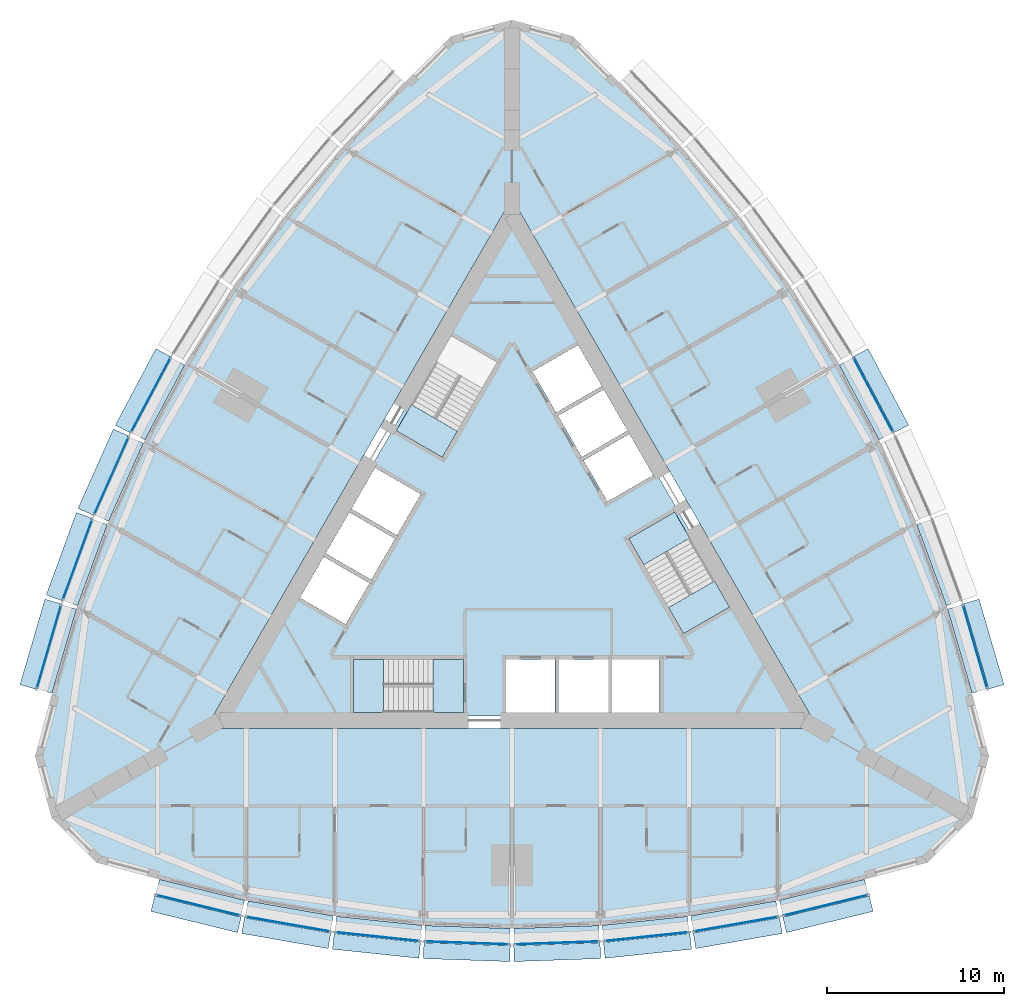
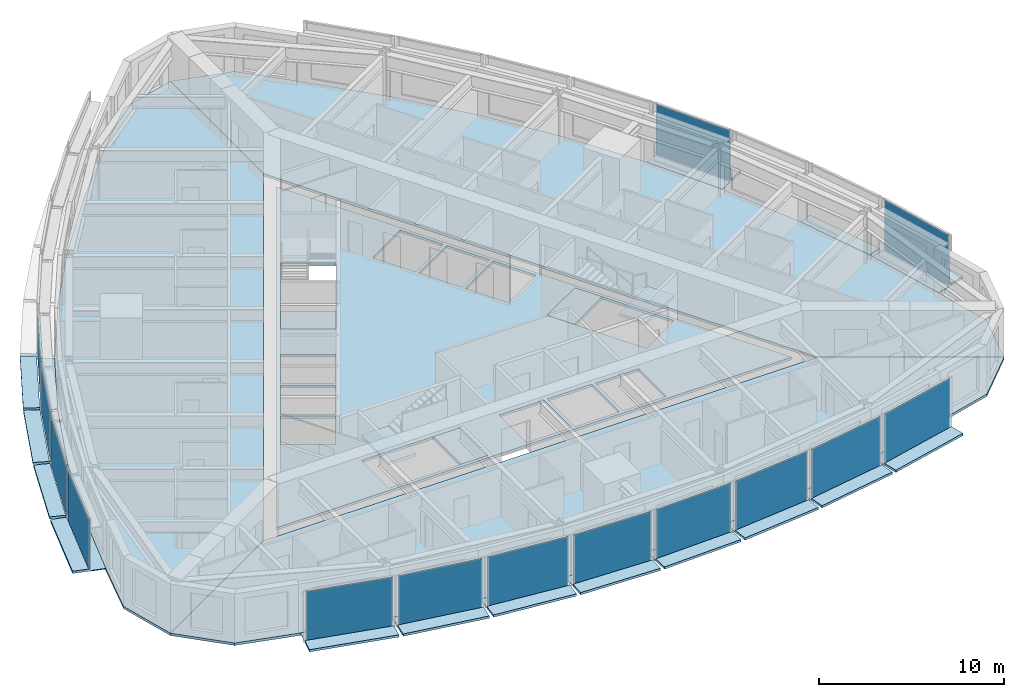
# One storey, part 6 of 14: 43 plates, 9 slabs, 17 elements without a shape of their own.
"""IFC4 building model written with IfcOpenShell, lengths in metres."""

from ifc_helpers import new_model, si_unit, direction, frame, origin, origin_2d, place, context, subcontext, project, spatial, polyline, rectangle, outline, extrude, material, layer, layer_set, type_object, element, aggregate, save


model = new_model("IFC4")

# Units and contexts
model_context = context("Model", 3, precision=1e-05, world=origin(), true_north=direction((0.0, 1.0)))
body_context = subcontext(model_context, "Body", "Model", "MODEL_VIEW")
ifc_project = project(units=[si_unit("LENGTHUNIT", "METRE"), si_unit("AREAUNIT", "SQUARE_METRE"), si_unit("VOLUMEUNIT", "CUBIC_METRE"), si_unit("PLANEANGLEUNIT", "RADIAN"), si_unit("MASSUNIT", "GRAM", prefix="KILO")], contexts=[model_context])

# Site, building, storey
site_placement = place(None, origin())
site = spatial("IfcSite", under=ifc_project, at=site_placement, CompositionType="ELEMENT")
building_placement = place(site_placement, origin())
building = spatial("IfcBuilding", under=site, at=building_placement, Name="Trikona Tower", CompositionType="ELEMENT")
storey_placement = place(building_placement, frame((0.0, 0.0, 135.10009765625)))
storey = spatial("IfcBuildingStorey", under=building, at=storey_placement, Name="L35", CompositionType="ELEMENT", Elevation=135.10009765625)

# Plates
ifc_material_1 = material(Name="Aluminium bar grating", Category="aluminium")
ifc_layer_1 = layer(ifc_material_1, 0.050048828125)
ifc_layer_set_1 = layer_set([ifc_layer_1], Name="Cavity catwalk grating")
plate_type_1 = type_object("IfcPlateType", Name="Cavity catwalk grating", PredefinedType="USERDEFINED", material=ifc_layer_set_1)
plate_1_placement = place(storey_placement, frame((-17.598876953125, -19.49072265625, -0.05029296875), z_axis=(0.0, 0.0, 1.0), x_axis=(0.971274411564, -0.237962218516, 0.0)))
element("IfcPlate", 1, at=plate_1_placement, inside=storey, type_object=plate_type_1, Name="Cavity catwalk L35-00", ObjectType="CATWALK GRATING", PredefinedType="USERDEFINED", context=body_context, shape_type="SweptSolid", body=[
    extrude(rectangle(XDim=4.947998046875, YDim=0.830078125, at=origin_2d()), origin(), (0.0, 0.0, 1.0), 0.050048828125),
])
plate_2_placement = place(storey_placement, frame((-12.571533203125, -20.54638671875, -0.05029296875), z_axis=(0.0, 0.0, 1.0), x_axis=(0.985030604067, -0.172379549401, 0.0)))
element("IfcPlate", 2, at=plate_2_placement, inside=storey, type_object=plate_type_1, Name="Cavity catwalk L35-01", ObjectType="CATWALK GRATING", PredefinedType="USERDEFINED", context=body_context, shape_type="SweptSolid", body=[
    extrude(rectangle(XDim=4.8759765625, YDim=0.830078125, at=origin_2d()), origin(), (0.0, 0.0, 1.0), 0.050048828125),
])
plate_3_placement = place(storey_placement, frame((-7.543212890625, -21.25048828125, -0.05029296875), z_axis=(0.0, 0.0, 1.0), x_axis=(0.994532653854, -0.104426052392, 0.0)))
element("IfcPlate", 3, at=plate_3_placement, inside=storey, type_object=plate_type_1, Name="Cavity catwalk L35-02", ObjectType="CATWALK GRATING", PredefinedType="USERDEFINED", context=body_context, shape_type="SweptSolid", body=[
    extrude(rectangle(XDim=4.827392578125, YDim=0.830078125, at=origin_2d()), origin(), (0.0, 0.0, 1.0), 0.050048828125),
])
for number, where, z_axis, x_axis, name in (
    (4, (-2.514404296875, -21.602294921875, -0.05029296875), (0.0, 0.0, 1.0), (0.999388082937, -0.034977988567, 0.0), "Cavity catwalk L35-03"),
    (5, (2.514404296875, -21.602294921875, -0.05029296875), (0.0, 0.0, 1.0), (0.999388082937, 0.034977988567, 0.0), "Cavity catwalk L35-04"),
):
    element("IfcPlate", number, at=place(storey_placement, frame(where, z_axis=z_axis, x_axis=x_axis)), inside=storey, type_object=plate_type_1, Name=name, ObjectType="CATWALK GRATING", PredefinedType="USERDEFINED", context=body_context, shape_type="SweptSolid", body=[
        extrude(rectangle(XDim=4.802978515625, YDim=0.830078125, at=origin_2d()), origin(), (0.0, 0.0, 1.0), 0.050048828125),
    ])
plate_4_placement = place(storey_placement, frame((7.543212890625, -21.25048828125, -0.05029296875), z_axis=(0.0, 0.0, 1.0), x_axis=(0.994532653854, 0.104426052392, 0.0)))
element("IfcPlate", 6, at=plate_4_placement, inside=storey, type_object=plate_type_1, Name="Cavity catwalk L35-05", ObjectType="CATWALK GRATING", PredefinedType="USERDEFINED", context=body_context, shape_type="SweptSolid", body=[
    extrude(rectangle(XDim=4.827392578125, YDim=0.830078125, at=origin_2d()), origin(), (0.0, 0.0, 1.0), 0.050048828125),
])
plate_5_placement = place(storey_placement, frame((12.571533203125, -20.54638671875, -0.05029296875), z_axis=(0.0, 0.0, 1.0), x_axis=(0.985030604067, 0.172379549401, 0.0)))
element("IfcPlate", 7, at=plate_5_placement, inside=storey, type_object=plate_type_1, Name="Cavity catwalk L35-06", ObjectType="CATWALK GRATING", PredefinedType="USERDEFINED", context=body_context, shape_type="SweptSolid", body=[
    extrude(rectangle(XDim=4.8759765625, YDim=0.830078125, at=origin_2d()), origin(), (0.0, 0.0, 1.0), 0.050048828125),
])
plate_6_placement = place(storey_placement, frame((17.598876953125, -19.49072265625, -0.05029296875), z_axis=(0.0, 0.0, 1.0), x_axis=(0.971274411564, 0.237962218516, 0.0)))
element("IfcPlate", 8, at=plate_6_placement, inside=storey, type_object=plate_type_1, Name="Cavity catwalk L35-07", ObjectType="CATWALK GRATING", PredefinedType="USERDEFINED", context=body_context, shape_type="SweptSolid", body=[
    extrude(rectangle(XDim=4.947998046875, YDim=0.830078125, at=origin_2d()), origin(), (0.0, 0.0, 1.0), 0.050048828125),
])
plate_7_placement = place(storey_placement, frame((25.678955078125, -5.49560546875, -0.05029296875), z_axis=(0.0, 0.0, 1.0), x_axis=(-0.279554203664, 0.960129911634, 0.0)))
element("IfcPlate", 9, at=plate_7_placement, inside=storey, type_object=plate_type_1, Name="Cavity catwalk L35-12", ObjectType="CATWALK GRATING", PredefinedType="USERDEFINED", context=body_context, shape_type="SweptSolid", body=[
    extrude(rectangle(XDim=4.94775390625, YDim=0.830078125, at=origin_2d()), origin(), (0.0, 0.0, 1.0), 0.050048828125),
])
plate_8_placement = place(storey_placement, frame((24.07958984375, -0.614013671875, -0.05029296875), z_axis=(0.0, 0.0, 1.0), x_axis=(-0.343220397324, 0.939254895575, 0.0)))
element("IfcPlate", 10, at=plate_8_placement, inside=storey, type_object=plate_type_1, Name="Cavity catwalk L35-13", ObjectType="CATWALK GRATING", PredefinedType="USERDEFINED", context=body_context, shape_type="SweptSolid", body=[
    extrude(rectangle(XDim=4.8759765625, YDim=0.830078125, at=origin_2d()), origin(), (0.0, 0.0, 1.0), 0.050048828125),
])
for number, where, z_axis, x_axis, name in (
    (11, (19.965576171875, 8.62353515625, -0.05029296875), (0.0, 0.0, 1.0), (-0.469397591494, 0.882986920118, 0.0), "Cavity catwalk L35-15"),
    (12, (-19.965576171875, 8.62353515625, -0.05029296875), (0.0, 0.0, 1.0), (-0.469397591494, -0.882986920118, 0.0), "Cavity catwalk L35-28"),
):
    element("IfcPlate", number, at=place(storey_placement, frame(where, z_axis=z_axis, x_axis=x_axis)), inside=storey, type_object=plate_type_1, Name=name, ObjectType="CATWALK GRATING", PredefinedType="USERDEFINED", context=body_context, shape_type="SweptSolid", body=[
        extrude(rectangle(XDim=4.802978515625, YDim=0.830078125, at=origin_2d()), origin(), (0.0, 0.0, 1.0), 0.050048828125),
    ])
plate_9_placement = place(storey_placement, frame((-22.175048828125, 4.092529296875, -0.05029296875), z_axis=(0.0, 0.0, 1.0), x_axis=(-0.406843467615, -0.913497888809, 0.0)))
element("IfcPlate", 13, at=plate_9_placement, inside=storey, type_object=plate_type_1, Name="Cavity catwalk L35-29", ObjectType="CATWALK GRATING", PredefinedType="USERDEFINED", context=body_context, shape_type="SweptSolid", body=[
    extrude(rectangle(XDim=4.827392578125, YDim=0.830078125, at=origin_2d()), origin(), (0.0, 0.0, 1.0), 0.050048828125),
])
plate_10_placement = place(storey_placement, frame((-24.07958984375, -0.614013671875, -0.05029296875), z_axis=(0.0, 0.0, 1.0), x_axis=(-0.343220397324, -0.939254895575, 0.0)))
element("IfcPlate", 14, at=plate_10_placement, inside=storey, type_object=plate_type_1, Name="Cavity catwalk L35-30", ObjectType="CATWALK GRATING", PredefinedType="USERDEFINED", context=body_context, shape_type="SweptSolid", body=[
    extrude(rectangle(XDim=4.8759765625, YDim=0.830078125, at=origin_2d()), origin(), (0.0, 0.0, 1.0), 0.050048828125),
])
plate_11_placement = place(storey_placement, frame((-25.678955078125, -5.49560546875, -0.05029296875), z_axis=(0.0, 0.0, 1.0), x_axis=(-0.279554203664, -0.960129911634, 0.0)))
element("IfcPlate", 15, at=plate_11_placement, inside=storey, type_object=plate_type_1, Name="Cavity catwalk L35-31", ObjectType="CATWALK GRATING", PredefinedType="USERDEFINED", context=body_context, shape_type="SweptSolid", body=[
    extrude(rectangle(XDim=4.94775390625, YDim=0.830078125, at=origin_2d()), origin(), (0.0, 0.0, 1.0), 0.050048828125),
])

# Slabs
ifc_material_2 = material(Name="Concrete f'c 5000 psi lightweight on composite steel deck", Category="concrete")
ifc_layer_2 = layer(ifc_material_2, 0.1650390625)
ifc_layer_set_2 = layer_set([ifc_layer_2], Name="Composite floor slab 165")
slab_type_1 = type_object("IfcSlabType", Name="Composite floor slab 165", PredefinedType="FLOOR", material=ifc_layer_set_2)
slab_1_placement = place(storey_placement, frame((0.0, 0.0, -0.1650390625)))
element("IfcSlab", 16, at=slab_1_placement, inside=storey, type_object=slab_type_1, Name="Floor slab L35 core", PredefinedType="FLOOR", context=body_context, shape_type="SweptSolid", body=[
    extrude(outline(polyline([(-16.06689453125, -9.2763671875), (16.06689453125, -9.2763671875), (0.0, 18.552490234375), (-16.06689453125, -9.2763671875)]), holes=[polyline([(12.285400390625, -3.126220703125), (9.185302734375, 2.2431640625), (6.587158203125, 0.7431640625), (9.687255859375, -4.626220703125), (12.285400390625, -3.126220703125)]), polyline([(8.340087890625, -9.06640625), (8.340087890625, -6.086181640625), (5.659912109375, -6.086181640625), (5.659912109375, -9.06640625), (8.340087890625, -9.06640625)]), polyline([(5.390869140625, 2.835205078125), (7.9716796875, 4.3251953125), (6.631591796875, 6.646240234375), (4.05078125, 5.15625), (5.390869140625, 2.835205078125)]), polyline([(2.600830078125, 7.667724609375), (3.94091796875, 5.3466796875), (6.521484375, 6.8369140625), (5.181640625, 9.15771484375), (2.600830078125, 7.667724609375)]), polyline([(5.43994140625, -6.086181640625), (2.659912109375, -6.086181640625), (2.659912109375, -9.06640625), (5.43994140625, -9.06640625), (5.43994140625, -6.086181640625)]), polyline([(3.731689453125, 11.669189453125), (1.15087890625, 10.17919921875), (2.490966796875, 7.858154296875), (5.071533203125, 9.34814453125), (3.731689453125, 11.669189453125)]), polyline([(-0.340087890625, -6.086181640625), (-0.340087890625, -9.06640625), (2.43994140625, -9.06640625), (2.43994140625, -6.086181640625), (-0.340087890625, -6.086181640625)]), polyline([(-3.435302734375, 12.202392578125), (-6.535400390625, 6.8330078125), (-3.937255859375, 5.3330078125), (-0.837158203125, 10.702392578125), (-3.435302734375, 12.202392578125)]), polyline([(-8.949951171875, -9.076416015625), (-2.75, -9.076416015625), (-2.75, -6.076416015625), (-8.949951171875, -6.076416015625), (-8.949951171875, -9.076416015625)]), polyline([(-5.15087890625, 3.2509765625), (-7.731689453125, 4.740966796875), (-9.071533203125, 2.419921875), (-6.490966796875, 0.929931640625), (-5.15087890625, 3.2509765625)]), polyline([(-7.94091796875, -1.581298828125), (-6.600830078125, 0.739501953125), (-9.181640625, 2.2294921875), (-10.521484375, -0.09130859375), (-7.94091796875, -1.581298828125)]), polyline([(-11.9716796875, -2.602783203125), (-9.390869140625, -4.093017578125), (-8.05078125, -1.77197265625), (-10.631591796875, -0.281982421875), (-11.9716796875, -2.602783203125)])]), origin(), (0.0, 0.0, 1.0), 0.1650390625),
])
slab_2_placement = place(storey_placement, frame((0.0, 0.0, -0.1650390625)))
element("IfcSlab", 17, at=slab_2_placement, inside=storey, type_object=slab_type_1, Name="Floor slab L35 south", PredefinedType="FLOOR", context=body_context, shape_type="SweptSolid", body=[
    extrude(outline(polyline([(23.464111328125, -17.547119140625), (26.0, -15.010986328125), (17.279296875, -9.976318359375), (-17.279296875, -9.976318359375), (-26.0, -15.010986328125), (-23.464111328125, -17.547119140625), (-20.0, -18.47509765625), (-15.0, -19.7001953125), (-10.0, -20.5751953125), (-5.0, -21.10009765625), (0.0, -21.275146484375), (5.0, -21.10009765625), (10.0, -20.5751953125), (15.0, -19.7001953125), (20.0, -18.47509765625), (23.464111328125, -17.547119140625)])), origin(), (0.0, 0.0, 1.0), 0.1650390625),
])
slab_3_placement = place(storey_placement, frame((0.0, 0.0, -0.1650390625)))
element("IfcSlab", 18, at=slab_3_placement, inside=storey, type_object=slab_type_1, Name="Floor slab L35 north-east", PredefinedType="FLOOR", context=body_context, shape_type="SweptSolid", body=[
    extrude(outline(polyline([(3.464111328125, 29.093994140625), (0.0, 30.022216796875), (0.0, 19.95263671875), (17.279296875, -9.976318359375), (26.0, -15.010986328125), (26.92822265625, -11.547119140625), (26.0, -8.0830078125), (24.560791015625, -3.140380859375), (22.818603515625, 1.62744140625), (20.773193359375, 6.219970703125), (18.4248046875, 10.6376953125), (15.773193359375, 14.880126953125), (12.818603515625, 18.947998046875), (9.560791015625, 22.840576171875), (6.0, 26.55810546875), (3.464111328125, 29.093994140625)])), origin(), (0.0, 0.0, 1.0), 0.1650390625),
])
slab_4_placement = place(storey_placement, frame((0.0, 0.0, -0.1650390625)))
element("IfcSlab", 19, at=slab_4_placement, inside=storey, type_object=slab_type_1, Name="Floor slab L35 north-west", PredefinedType="FLOOR", context=body_context, shape_type="SweptSolid", body=[
    extrude(outline(polyline([(0.0, 19.95263671875), (0.0, 30.022216796875), (-3.464111328125, 29.093994140625), (-6.0, 26.55810546875), (-9.560791015625, 22.840576171875), (-12.818603515625, 18.947998046875), (-15.773193359375, 14.880126953125), (-18.4248046875, 10.6376953125), (-20.773193359375, 6.219970703125), (-22.818603515625, 1.62744140625), (-24.560791015625, -3.140380859375), (-26.0, -8.0830078125), (-26.92822265625, -11.547119140625), (-26.0, -15.010986328125), (-17.279296875, -9.976318359375), (0.0, 19.95263671875)])), origin(), (0.0, 0.0, 1.0), 0.1650390625),
])

# Curtain wall, plate
ifc_material_3 = material(Name="Aluminium curtain wall system", Category="aluminium")
curtain_wall_type = type_object("IfcCurtainWallType", Name="Curtain wall DS2", PredefinedType="NOTDEFINED", material=ifc_material_3)
curtain_wall_1_placement = place(storey_placement, origin())
curtain_wall_1 = element("IfcCurtainWall", 20, at=curtain_wall_1_placement, inside=storey, type_object=curtain_wall_type, Name="Curtain wall DS2 L35", PredefinedType="NOTDEFINED")
ifc_material_4 = material(Name="Laminated clear glass", Category="glass")
ifc_layer_3 = layer(ifc_material_4, 0.028076171875)
ifc_layer_set_3 = layer_set([ifc_layer_3], Name="Glass panel DS2")
plate_type_2 = type_object("IfcPlateType", Name="Glass panel DS2", PredefinedType="CURTAIN_PANEL", material=ifc_layer_set_3)
plate_12_placement = place(storey_placement, frame((-17.714111328125, -19.9619140625, 0.0), z_axis=(0.0, 0.0, 1.0), x_axis=(0.971272455026, -0.237970204243, 0.0)))
plate_12 = element("IfcPlate", 21, at=plate_12_placement, type_object=plate_type_2, Name="CW-DS2 panel 1.1", PredefinedType="CURTAIN_PANEL", context=body_context, shape_type="SweptSolid", body=[
    extrude(rectangle(XDim=4.867919921875, YDim=0.028076171875, at=origin_2d()), origin(), (0.0, 0.0, 1.0), 3.320068359375),
])
aggregate(curtain_wall_1, [plate_12])

curtain_wall_2_placement = place(storey_placement, origin())
curtain_wall_2 = element("IfcCurtainWall", 22, at=curtain_wall_2_placement, inside=storey, type_object=curtain_wall_type, Name="Curtain wall DS2 L35", PredefinedType="NOTDEFINED")
plate_13_placement = place(storey_placement, frame((-12.655029296875, -21.024169921875, 0.0), z_axis=(0.0, 0.0, 1.0), x_axis=(0.985030981074, -0.17237739505, 0.0)))
plate_13 = element("IfcPlate", 23, at=plate_13_placement, type_object=plate_type_2, Name="CW-DS2 panel 1.1", PredefinedType="CURTAIN_PANEL", context=body_context, shape_type="SweptSolid", body=[
    extrude(rectangle(XDim=4.7958984375, YDim=0.028076171875, at=origin_2d()), origin(), (0.0, 0.0, 1.0), 3.320068359375),
])
aggregate(curtain_wall_2, [plate_13])

curtain_wall_3_placement = place(storey_placement, origin())
curtain_wall_3 = element("IfcCurtainWall", 24, at=curtain_wall_3_placement, inside=storey, type_object=curtain_wall_type, Name="Curtain wall DS2 L35", PredefinedType="NOTDEFINED")
plate_14_placement = place(storey_placement, frame((-7.593994140625, -21.732666015625, 0.0), z_axis=(0.0, 0.0, 1.0), x_axis=(0.994531883654, -0.104433387357, 0.0)))
plate_14 = element("IfcPlate", 25, at=plate_14_placement, type_object=plate_type_2, Name="CW-DS2 panel 1.1", PredefinedType="CURTAIN_PANEL", context=body_context, shape_type="SweptSolid", body=[
    extrude(rectangle(XDim=4.747314453125, YDim=0.028076171875, at=origin_2d()), origin(), (0.0, 0.0, 1.0), 3.320068359375),
])
aggregate(curtain_wall_3, [plate_14])

curtain_wall_4_placement = place(storey_placement, origin())
curtain_wall_4 = element("IfcCurtainWall", 26, at=curtain_wall_4_placement, inside=storey, type_object=curtain_wall_type, Name="Curtain wall DS2 L35", PredefinedType="NOTDEFINED")
plate_15_placement = place(storey_placement, frame((-2.531494140625, -22.087158203125, 0.0), z_axis=(0.0, 0.0, 1.0), x_axis=(0.99938737114, -0.034998320052, 0.0)))
plate_15 = element("IfcPlate", 27, at=plate_15_placement, type_object=plate_type_2, Name="CW-DS2 panel 1.1", PredefinedType="CURTAIN_PANEL", context=body_context, shape_type="SweptSolid", body=[
    extrude(rectangle(XDim=4.72314453125, YDim=0.028076171875, at=origin_2d()), origin(), (0.0, 0.0, 1.0), 3.320068359375),
])
aggregate(curtain_wall_4, [plate_15])

curtain_wall_5_placement = place(storey_placement, origin())
curtain_wall_5 = element("IfcCurtainWall", 28, at=curtain_wall_5_placement, inside=storey, type_object=curtain_wall_type, Name="Curtain wall DS2 L35", PredefinedType="NOTDEFINED")
plate_16_placement = place(storey_placement, frame((2.531494140625, -22.087158203125, 0.0), z_axis=(0.0, 0.0, 1.0), x_axis=(0.99938737114, 0.034998320052, 0.0)))
plate_16 = element("IfcPlate", 29, at=plate_16_placement, type_object=plate_type_2, Name="CW-DS2 panel 1.1", PredefinedType="CURTAIN_PANEL", context=body_context, shape_type="SweptSolid", body=[
    extrude(rectangle(XDim=4.72314453125, YDim=0.028076171875, at=origin_2d()), origin(), (0.0, 0.0, 1.0), 3.320068359375),
])
aggregate(curtain_wall_5, [plate_16])

curtain_wall_6_placement = place(storey_placement, origin())
curtain_wall_6 = element("IfcCurtainWall", 30, at=curtain_wall_6_placement, inside=storey, type_object=curtain_wall_type, Name="Curtain wall DS2 L35", PredefinedType="NOTDEFINED")
plate_17_placement = place(storey_placement, frame((7.593994140625, -21.732666015625, 0.0), z_axis=(0.0, 0.0, 1.0), x_axis=(0.994531883654, 0.104433387357, 0.0)))
plate_17 = element("IfcPlate", 31, at=plate_17_placement, type_object=plate_type_2, Name="CW-DS2 panel 1.1", PredefinedType="CURTAIN_PANEL", context=body_context, shape_type="SweptSolid", body=[
    extrude(rectangle(XDim=4.747314453125, YDim=0.028076171875, at=origin_2d()), origin(), (0.0, 0.0, 1.0), 3.320068359375),
])
aggregate(curtain_wall_6, [plate_17])

curtain_wall_7_placement = place(storey_placement, origin())
curtain_wall_7 = element("IfcCurtainWall", 32, at=curtain_wall_7_placement, inside=storey, type_object=curtain_wall_type, Name="Curtain wall DS2 L35", PredefinedType="NOTDEFINED")
plate_18_placement = place(storey_placement, frame((12.655029296875, -21.024169921875, 0.0), z_axis=(0.0, 0.0, 1.0), x_axis=(0.985030981074, 0.17237739505, 0.0)))
plate_18 = element("IfcPlate", 33, at=plate_18_placement, type_object=plate_type_2, Name="CW-DS2 panel 1.1", PredefinedType="CURTAIN_PANEL", context=body_context, shape_type="SweptSolid", body=[
    extrude(rectangle(XDim=4.7958984375, YDim=0.028076171875, at=origin_2d()), origin(), (0.0, 0.0, 1.0), 3.320068359375),
])
aggregate(curtain_wall_7, [plate_18])

curtain_wall_8_placement = place(storey_placement, origin())
curtain_wall_8 = element("IfcCurtainWall", 34, at=curtain_wall_8_placement, inside=storey, type_object=curtain_wall_type, Name="Curtain wall DS2 L35", PredefinedType="NOTDEFINED")
plate_19_placement = place(storey_placement, frame((17.714111328125, -19.9619140625, 0.0), z_axis=(0.0, 0.0, 1.0), x_axis=(0.971272455026, 0.237970204243, 0.0)))
plate_19 = element("IfcPlate", 35, at=plate_19_placement, type_object=plate_type_2, Name="CW-DS2 panel 1.1", PredefinedType="CURTAIN_PANEL", context=body_context, shape_type="SweptSolid", body=[
    extrude(rectangle(XDim=4.867919921875, YDim=0.028076171875, at=origin_2d()), origin(), (0.0, 0.0, 1.0), 3.320068359375),
])
aggregate(curtain_wall_8, [plate_19])

curtain_wall_9_placement = place(storey_placement, origin())
curtain_wall_9 = element("IfcCurtainWall", 36, at=curtain_wall_9_placement, inside=storey, type_object=curtain_wall_type, Name="Curtain wall DS2 L35", PredefinedType="NOTDEFINED")
plate_20_placement = place(storey_placement, frame((26.14453125, -5.360107421875, 0.0), z_axis=(0.0, 0.0, 1.0), x_axis=(-0.279543247757, 0.96013310152, 0.0)))
plate_20 = element("IfcPlate", 37, at=plate_20_placement, type_object=plate_type_2, Name="CW-DS2 panel 1.1", PredefinedType="CURTAIN_PANEL", context=body_context, shape_type="SweptSolid", body=[
    extrude(rectangle(XDim=4.867919921875, YDim=0.028076171875, at=origin_2d()), origin(), (0.0, 0.0, 1.0), 3.320068359375),
])
aggregate(curtain_wall_9, [plate_20])

curtain_wall_10_placement = place(storey_placement, origin())
curtain_wall_10 = element("IfcCurtainWall", 38, at=curtain_wall_10_placement, inside=storey, type_object=curtain_wall_type, Name="Curtain wall DS2 L35", PredefinedType="NOTDEFINED")
plate_21_placement = place(storey_placement, frame((20.393798828125, 8.851318359375, 0.0), z_axis=(0.0, 0.0, 1.0), x_axis=(-0.469380308937, 0.882996107343, 0.0)))
plate_21 = element("IfcPlate", 39, at=plate_21_placement, type_object=plate_type_2, Name="CW-DS2 panel 1.1", PredefinedType="CURTAIN_PANEL", context=body_context, shape_type="SweptSolid", body=[
    extrude(rectangle(XDim=4.72314453125, YDim=0.028076171875, at=origin_2d()), origin(), (0.0, 0.0, 1.0), 3.320068359375),
])
aggregate(curtain_wall_10, [plate_21])

curtain_wall_11_placement = place(storey_placement, origin())
curtain_wall_11 = element("IfcCurtainWall", 40, at=curtain_wall_11_placement, inside=storey, type_object=curtain_wall_type, Name="Curtain wall DS2 L35", PredefinedType="NOTDEFINED")
plate_22_placement = place(storey_placement, frame((-20.393798828125, 8.851318359375, 0.0), z_axis=(0.0, 0.0, 1.0), x_axis=(-0.469380308937, -0.882996107343, 0.0)))
plate_22 = element("IfcPlate", 41, at=plate_22_placement, type_object=plate_type_2, Name="CW-DS2 panel 1.1", PredefinedType="CURTAIN_PANEL", context=body_context, shape_type="SweptSolid", body=[
    extrude(rectangle(XDim=4.72314453125, YDim=0.028076171875, at=origin_2d()), origin(), (0.0, 0.0, 1.0), 3.320068359375),
])
aggregate(curtain_wall_11, [plate_22])

curtain_wall_12_placement = place(storey_placement, origin())
curtain_wall_12 = element("IfcCurtainWall", 42, at=curtain_wall_12_placement, inside=storey, type_object=curtain_wall_type, Name="Curtain wall DS2 L35", PredefinedType="NOTDEFINED")
plate_23_placement = place(storey_placement, frame((-22.6181640625, 4.289794921875, 0.0), z_axis=(0.0, 0.0, 1.0), x_axis=(-0.406836013132, -0.913501208767, 0.0)))
plate_23 = element("IfcPlate", 43, at=plate_23_placement, type_object=plate_type_2, Name="CW-DS2 panel 1.1", PredefinedType="CURTAIN_PANEL", context=body_context, shape_type="SweptSolid", body=[
    extrude(rectangle(XDim=4.747314453125, YDim=0.028076171875, at=origin_2d()), origin(), (0.0, 0.0, 1.0), 3.320068359375),
])
aggregate(curtain_wall_12, [plate_23])

curtain_wall_13_placement = place(storey_placement, origin())
curtain_wall_13 = element("IfcCurtainWall", 44, at=curtain_wall_13_placement, inside=storey, type_object=curtain_wall_type, Name="Curtain wall DS2 L35", PredefinedType="NOTDEFINED")
plate_24_placement = place(storey_placement, frame((-24.53515625, -0.447509765625, 0.0), z_axis=(0.0, 0.0, 1.0), x_axis=(-0.343223420143, -0.939253790978, 0.0)))
plate_24 = element("IfcPlate", 45, at=plate_24_placement, type_object=plate_type_2, Name="CW-DS2 panel 1.1", PredefinedType="CURTAIN_PANEL", context=body_context, shape_type="SweptSolid", body=[
    extrude(rectangle(XDim=4.7958984375, YDim=0.028076171875, at=origin_2d()), origin(), (0.0, 0.0, 1.0), 3.320068359375),
])
aggregate(curtain_wall_13, [plate_24])

curtain_wall_14_placement = place(storey_placement, origin())
curtain_wall_14 = element("IfcCurtainWall", 46, at=curtain_wall_14_placement, inside=storey, type_object=curtain_wall_type, Name="Curtain wall DS2 L35", PredefinedType="NOTDEFINED")
plate_25_placement = place(storey_placement, frame((-26.14453125, -5.360107421875, 0.0), z_axis=(0.0, 0.0, 1.0), x_axis=(-0.279543247757, -0.96013310152, 0.0)))
plate_25 = element("IfcPlate", 47, at=plate_25_placement, type_object=plate_type_2, Name="CW-DS2 panel 1.1", PredefinedType="CURTAIN_PANEL", context=body_context, shape_type="SweptSolid", body=[
    extrude(rectangle(XDim=4.867919921875, YDim=0.028076171875, at=origin_2d()), origin(), (0.0, 0.0, 1.0), 3.320068359375),
])
aggregate(curtain_wall_14, [plate_25])

# Plates
ifc_material_5 = material(Name="Aluminium plate fin, pale anodised, on stainless steel outriggers", Category="steel")
ifc_layer_4 = layer(ifc_material_5, 0.14990234375)
ifc_layer_set_4 = layer_set([ifc_layer_4], Name="Outer skin fin 900")
plate_type_3 = type_object("IfcPlateType", Name="Outer skin fin 900", PredefinedType="USERDEFINED", material=ifc_layer_set_4)
plate_26_placement = place(storey_placement, frame((-17.837890625, -20.466796875, 0.0), z_axis=(0.0, 0.0, 1.0), x_axis=(0.971274411564, -0.237962218516, 0.0)))
element("IfcPlate", 48, at=plate_26_placement, inside=storey, type_object=plate_type_3, Name="Outer skin fin L35-00", ObjectType="FIN", PredefinedType="USERDEFINED", context=body_context, shape_type="SweptSolid", body=[
    extrude(rectangle(XDim=5.02783203125, YDim=0.89990234375, at=origin_2d()), origin(), (0.0, 0.0, 1.0), 0.14990234375),
])
plate_27_placement = place(storey_placement, frame((-12.744873046875, -21.536376953125, 0.0), z_axis=(0.0, 0.0, 1.0), x_axis=(0.985030604067, -0.172379549401, 0.0)))
element("IfcPlate", 49, at=plate_27_placement, inside=storey, type_object=plate_type_3, Name="Outer skin fin L35-01", ObjectType="FIN", PredefinedType="USERDEFINED", context=body_context, shape_type="SweptSolid", body=[
    extrude(rectangle(XDim=4.9560546875, YDim=0.89990234375, at=origin_2d()), origin(), (0.0, 0.0, 1.0), 0.14990234375),
])
plate_28_placement = place(storey_placement, frame((-7.648193359375, -22.25, 0.0), z_axis=(0.0, 0.0, 1.0), x_axis=(0.994532653854, -0.104426052392, 0.0)))
element("IfcPlate", 50, at=plate_28_placement, inside=storey, type_object=plate_type_3, Name="Outer skin fin L35-02", ObjectType="FIN", PredefinedType="USERDEFINED", context=body_context, shape_type="SweptSolid", body=[
    extrude(rectangle(XDim=4.907470703125, YDim=0.89990234375, at=origin_2d()), origin(), (0.0, 0.0, 1.0), 0.14990234375),
])
for number, where, z_axis, x_axis, name in (
    (51, (-2.5498046875, -22.606689453125, 0.0), (0.0, 0.0, 1.0), (0.999388082937, -0.034977988567, 0.0), "Outer skin fin L35-03"),
    (52, (2.5498046875, -22.606689453125, 0.0), (0.0, 0.0, 1.0), (0.999388082937, 0.034977988567, 0.0), "Outer skin fin L35-04"),
):
    element("IfcPlate", number, at=place(storey_placement, frame(where, z_axis=z_axis, x_axis=x_axis)), inside=storey, type_object=plate_type_3, Name=name, ObjectType="FIN", PredefinedType="USERDEFINED", context=body_context, shape_type="SweptSolid", body=[
        extrude(rectangle(XDim=4.883056640625, YDim=0.89990234375, at=origin_2d()), origin(), (0.0, 0.0, 1.0), 0.14990234375),
    ])
plate_29_placement = place(storey_placement, frame((7.648193359375, -22.25, 0.0), z_axis=(0.0, 0.0, 1.0), x_axis=(0.994532653854, 0.104426052392, 0.0)))
element("IfcPlate", 53, at=plate_29_placement, inside=storey, type_object=plate_type_3, Name="Outer skin fin L35-05", ObjectType="FIN", PredefinedType="USERDEFINED", context=body_context, shape_type="SweptSolid", body=[
    extrude(rectangle(XDim=4.907470703125, YDim=0.89990234375, at=origin_2d()), origin(), (0.0, 0.0, 1.0), 0.14990234375),
])
plate_30_placement = place(storey_placement, frame((12.744873046875, -21.536376953125, 0.0), z_axis=(0.0, 0.0, 1.0), x_axis=(0.985030604067, 0.172379549401, 0.0)))
element("IfcPlate", 54, at=plate_30_placement, inside=storey, type_object=plate_type_3, Name="Outer skin fin L35-06", ObjectType="FIN", PredefinedType="USERDEFINED", context=body_context, shape_type="SweptSolid", body=[
    extrude(rectangle(XDim=4.9560546875, YDim=0.89990234375, at=origin_2d()), origin(), (0.0, 0.0, 1.0), 0.14990234375),
])
for number, where, z_axis, x_axis, name in (
    (55, (17.837890625, -20.466796875, 0.0), (0.0, 0.0, 1.0), (0.971274411564, 0.237962218516, 0.0), "Outer skin fin L35-07"),
    (56, (26.643798828125, -5.214599609375, 0.0), (0.0, 0.0, 1.0), (-0.279554203664, 0.960129911634, 0.0), "Outer skin fin L35-12"),
):
    element("IfcPlate", number, at=place(storey_placement, frame(where, z_axis=z_axis, x_axis=x_axis)), inside=storey, type_object=plate_type_3, Name=name, ObjectType="FIN", PredefinedType="USERDEFINED", context=body_context, shape_type="SweptSolid", body=[
        extrude(rectangle(XDim=5.02783203125, YDim=0.89990234375, at=origin_2d()), origin(), (0.0, 0.0, 1.0), 0.14990234375),
    ])
for number, where, z_axis, x_axis, name in (
    (57, (20.852783203125, 9.09521484375, 0.0), (0.0, 0.0, 1.0), (-0.469397591494, 0.882986920118, 0.0), "Outer skin fin L35-15"),
    (58, (-20.852783203125, 9.09521484375, 0.0), (0.0, 0.0, 1.0), (-0.469397591494, -0.882986920118, 0.0), "Outer skin fin L35-28"),
):
    element("IfcPlate", number, at=place(storey_placement, frame(where, z_axis=z_axis, x_axis=x_axis)), inside=storey, type_object=plate_type_3, Name=name, ObjectType="FIN", PredefinedType="USERDEFINED", context=body_context, shape_type="SweptSolid", body=[
        extrude(rectangle(XDim=4.883056640625, YDim=0.89990234375, at=origin_2d()), origin(), (0.0, 0.0, 1.0), 0.14990234375),
    ])
plate_31_placement = place(storey_placement, frame((-23.09326171875, 4.50146484375, 0.0), z_axis=(0.0, 0.0, 1.0), x_axis=(-0.406843467615, -0.913497888809, 0.0)))
element("IfcPlate", 59, at=plate_31_placement, inside=storey, type_object=plate_type_3, Name="Outer skin fin L35-29", ObjectType="FIN", PredefinedType="USERDEFINED", context=body_context, shape_type="SweptSolid", body=[
    extrude(rectangle(XDim=4.907470703125, YDim=0.89990234375, at=origin_2d()), origin(), (0.0, 0.0, 1.0), 0.14990234375),
])
plate_32_placement = place(storey_placement, frame((-25.0234375, -0.26904296875, 0.0), z_axis=(0.0, 0.0, 1.0), x_axis=(-0.343220397324, -0.939254895575, 0.0)))
element("IfcPlate", 60, at=plate_32_placement, inside=storey, type_object=plate_type_3, Name="Outer skin fin L35-30", ObjectType="FIN", PredefinedType="USERDEFINED", context=body_context, shape_type="SweptSolid", body=[
    extrude(rectangle(XDim=4.9560546875, YDim=0.89990234375, at=origin_2d()), origin(), (0.0, 0.0, 1.0), 0.14990234375),
])
plate_33_placement = place(storey_placement, frame((-26.643798828125, -5.214599609375, 0.0), z_axis=(0.0, 0.0, 1.0), x_axis=(-0.279554203664, -0.960129911634, 0.0)))
element("IfcPlate", 61, at=plate_33_placement, inside=storey, type_object=plate_type_3, Name="Outer skin fin L35-31", ObjectType="FIN", PredefinedType="USERDEFINED", context=body_context, shape_type="SweptSolid", body=[
    extrude(rectangle(XDim=5.02783203125, YDim=0.89990234375, at=origin_2d()), origin(), (0.0, 0.0, 1.0), 0.14990234375),
])

# Stair, slabs
ifc_material_6 = material(Name="Concrete f'c 5000 psi", Category="concrete")
stair_type = type_object("IfcStairType", Name="Core stair", PredefinedType="HALF_TURN_STAIR", material=ifc_material_6)
stair_1_placement = place(storey_placement, origin())
stair_1 = element("IfcStair", 62, at=stair_1_placement, inside=storey, type_object=stair_type, Name="Stair A L35", PredefinedType="HALF_TURN_STAIR")
ifc_material_7 = material(Name="Concrete f'c 5000 psi", Category="concrete")
ifc_layer_5 = layer(ifc_material_7, 0.199951171875)
ifc_layer_set_5 = layer_set([ifc_layer_5], Name="Stair landing 200")
slab_type_2 = type_object("IfcSlabType", Name="Stair landing 200", PredefinedType="LANDING", material=ifc_layer_set_5)
slab_5_placement = place(storey_placement, frame((0.0, 0.0, -0.2001953125)))
slab_5 = element("IfcSlab", 63, at=slab_5_placement, type_object=slab_type_2, Name="ST-A landing 1", PredefinedType="LANDING", context=body_context, shape_type="SweptSolid", body=[
    extrude(outline(polyline([(-4.452880859375, -6.076416015625), (-2.75, -6.076416015625), (-2.75, -9.076416015625), (-4.452880859375, -9.076416015625), (-4.452880859375, -6.076416015625)])), origin(), (0.0, 0.0, 1.0), 0.2001953125),
])
slab_6_placement = place(storey_placement, frame((0.0, 0.0, 1.5)))
slab_6 = element("IfcSlab", 64, at=slab_6_placement, type_object=slab_type_2, Name="ST-A landing 2", PredefinedType="LANDING", context=body_context, shape_type="SweptSolid", body=[
    extrude(outline(polyline([(-8.949951171875, -6.076416015625), (-7.2470703125, -6.076416015625), (-7.2470703125, -9.076416015625), (-8.949951171875, -9.076416015625), (-8.949951171875, -6.076416015625)])), origin(), (0.0, 0.0, 1.0), 0.199951171875),
])
aggregate(stair_1, [slab_5, slab_6])

stair_2_placement = place(storey_placement, origin())
stair_2 = element("IfcStair", 65, at=stair_2_placement, inside=storey, type_object=stair_type, Name="Stair B L35", PredefinedType="HALF_TURN_STAIR")
slab_7_placement = place(storey_placement, frame((0.0, 0.0, -0.2001953125)))
slab_7 = element("IfcSlab", 66, at=slab_7_placement, type_object=slab_type_2, Name="ST-B landing 1", PredefinedType="LANDING", context=body_context, shape_type="SweptSolid", body=[
    extrude(outline(polyline([(7.438720703125, -0.731689453125), (6.587158203125, 0.7431640625), (9.185302734375, 2.2431640625), (10.036865234375, 0.768310546875), (7.438720703125, -0.731689453125)])), origin(), (0.0, 0.0, 1.0), 0.2001953125),
])
slab_8_placement = place(storey_placement, frame((0.0, 0.0, 1.5)))
slab_8 = element("IfcSlab", 67, at=slab_8_placement, type_object=slab_type_2, Name="ST-B landing 2", PredefinedType="LANDING", context=body_context, shape_type="SweptSolid", body=[
    extrude(outline(polyline([(9.687255859375, -4.626220703125), (8.835693359375, -3.1513671875), (11.433837890625, -1.6513671875), (12.285400390625, -3.126220703125), (9.687255859375, -4.626220703125)])), origin(), (0.0, 0.0, 1.0), 0.199951171875),
])
aggregate(stair_2, [slab_7, slab_8])

# Stair, slab
stair_3_placement = place(storey_placement, origin())
stair_3 = element("IfcStair", 68, at=stair_3_placement, inside=storey, type_object=stair_type, Name="Stair C L35", PredefinedType="HALF_TURN_STAIR")
slab_9_placement = place(storey_placement, frame((0.0, 0.0, -0.2001953125)))
slab_9 = element("IfcSlab", 69, at=slab_9_placement, type_object=slab_type_2, Name="ST-C landing 1", PredefinedType="LANDING", context=body_context, shape_type="SweptSolid", body=[
    extrude(outline(polyline([(-3.085693359375, 6.807861328125), (-3.937255859375, 5.3330078125), (-6.535400390625, 6.8330078125), (-5.683837890625, 8.307861328125), (-3.085693359375, 6.807861328125)])), origin(), (0.0, 0.0, 1.0), 0.2001953125),
])
aggregate(stair_3, [slab_9])

save(model, "model.ifc")
